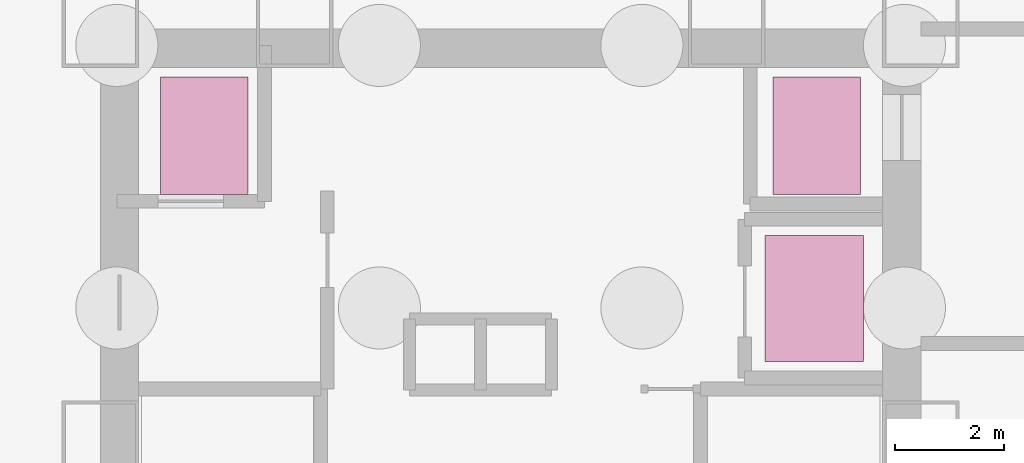
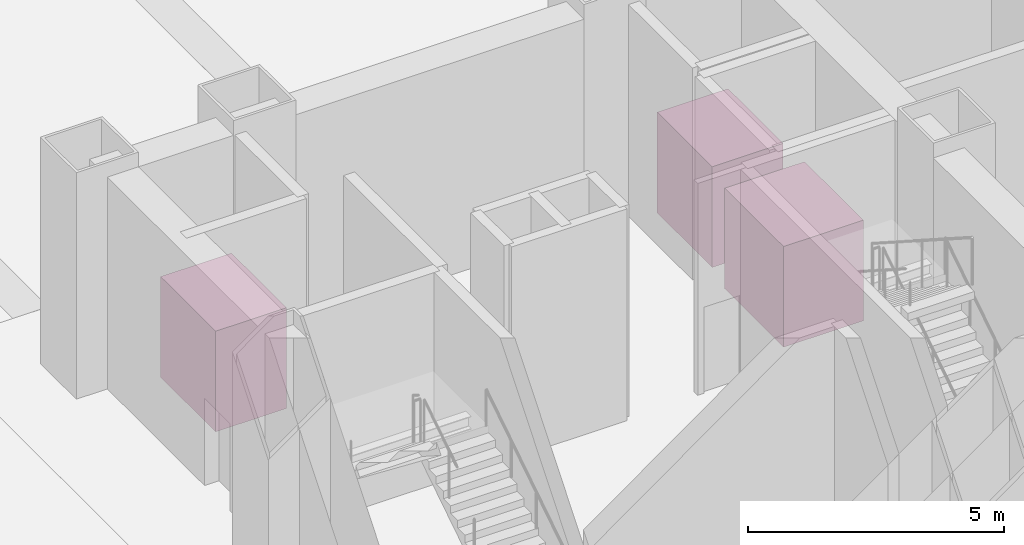
# One storey, part 16 of 16: 3 transport elements.
"""IFC4 building model written with IfcOpenShell, lengths in metres."""

from ifc_helpers import new_model, si_unit, direction, frame, origin, origin_2d, place, context, subcontext, project, spatial, rectangle, extrude, material, type_object, element, save


model = new_model("IFC4")

# Units and contexts
model_context = context("Model", 3, precision=1e-05, world=origin(), true_north=direction((0.0, 1.0)))
body_context = subcontext(model_context, "Body", "Model", "MODEL_VIEW")
ifc_project = project(units=[si_unit("LENGTHUNIT", "METRE"), si_unit("AREAUNIT", "SQUARE_METRE"), si_unit("VOLUMEUNIT", "CUBIC_METRE"), si_unit("PLANEANGLEUNIT", "RADIAN"), si_unit("MASSUNIT", "GRAM", prefix="KILO")], contexts=[model_context])

# Site, building, storey
site_placement = place(None, origin())
site = spatial("IfcSite", under=ifc_project, at=site_placement, CompositionType="ELEMENT")
building_placement = place(site_placement, origin())
building = spatial("IfcBuilding", under=site, at=building_placement, Name="Trevonay Congress Spire", CompositionType="ELEMENT")
storey_placement = place(building_placement, frame((0.0, 0.0, -10.800048828125)))
storey = spatial("IfcBuildingStorey", under=building, at=storey_placement, Name="B2", CompositionType="ELEMENT", Elevation=-10.800048828125)

# Transport elements
ifc_material = material(Name="Steel ASTM A572 Grade 50", Category="steel")
transport_element_type_1 = type_object("IfcTransportElementType", Name="LFT-FIRE-2400", PredefinedType="ELEVATOR", material=ifc_material)
for number, where, z_axis, x_axis, name in (
    (1, (-5.60009765625, 5.550048828125, 0.0), (0.0, 0.0, 1.0), (1.0, 0.0, 0.0), "Firefighting and stretcher elevator FFL-01 car"),
    (2, (5.60009765625, 5.550048828125, 0.0), (0.0, 0.0, 1.0), (1.0, 0.0, 0.0), "Firefighting and stretcher elevator FFL-02 car"),
):
    element("IfcTransportElement", number, at=place(storey_placement, frame(where, z_axis=z_axis, x_axis=x_axis)), inside=storey, type_object=transport_element_type_1, Name=name, PredefinedType="ELEVATOR", context=body_context, shape_type="SweptSolid", body=[
        extrude(rectangle(XDim=1.60009765625, YDim=2.14990234375, at=origin_2d()), origin(), (0.0, 0.0, 1.0), 2.39990234375),
    ])
transport_element_type_2 = type_object("IfcTransportElementType", Name="LFT-GOODS-2500", PredefinedType="ELEVATOR", material=ifc_material)
transport_element_placement = place(storey_placement, frame((5.550048828125, 2.574951171875, 0.0), z_axis=(0.0, 0.0, 1.0), x_axis=(1.0, 0.0, 0.0)))
element("IfcTransportElement", 3, at=transport_element_placement, inside=storey, type_object=transport_element_type_2, Name="Goods and service elevator SVL-01 car", PredefinedType="ELEVATOR", context=body_context, shape_type="SweptSolid", body=[
    extrude(rectangle(XDim=1.800048828125, YDim=2.300048828125, at=origin_2d()), origin(), (0.0, 0.0, 1.0), 2.39990234375),
])

save(model, "model.ifc")
